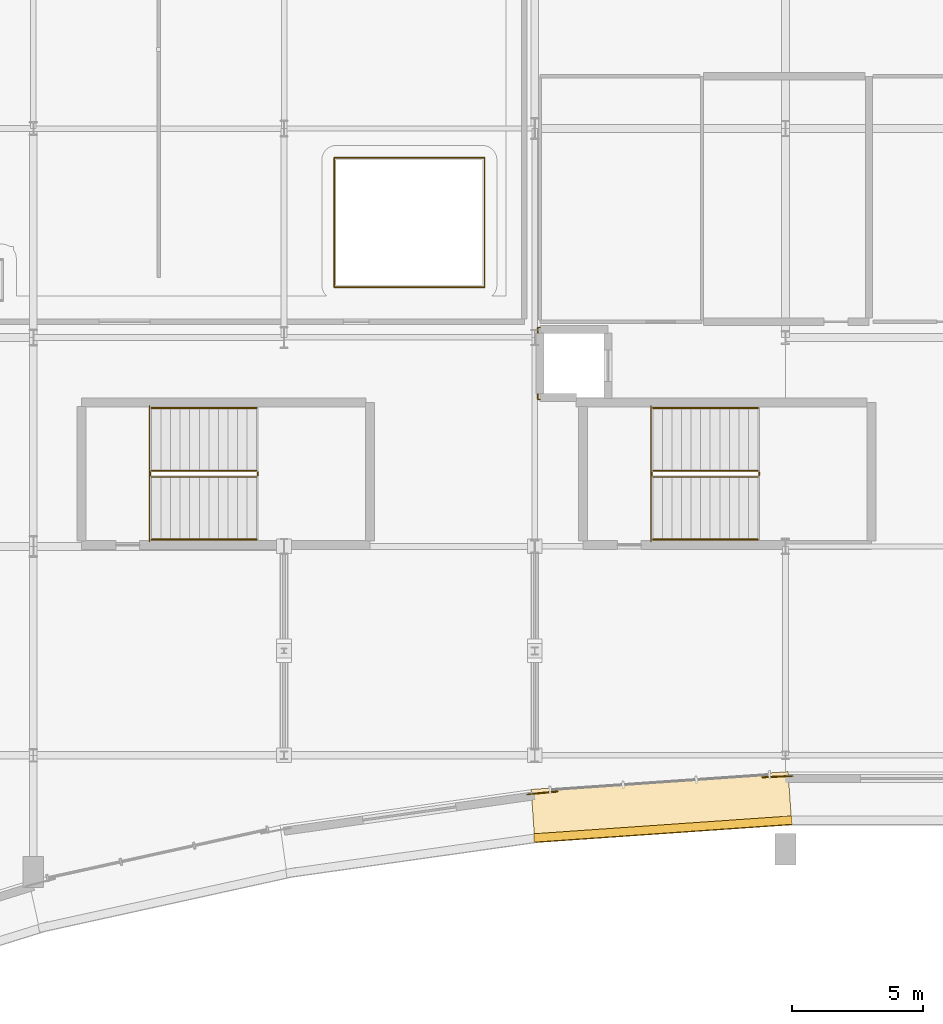
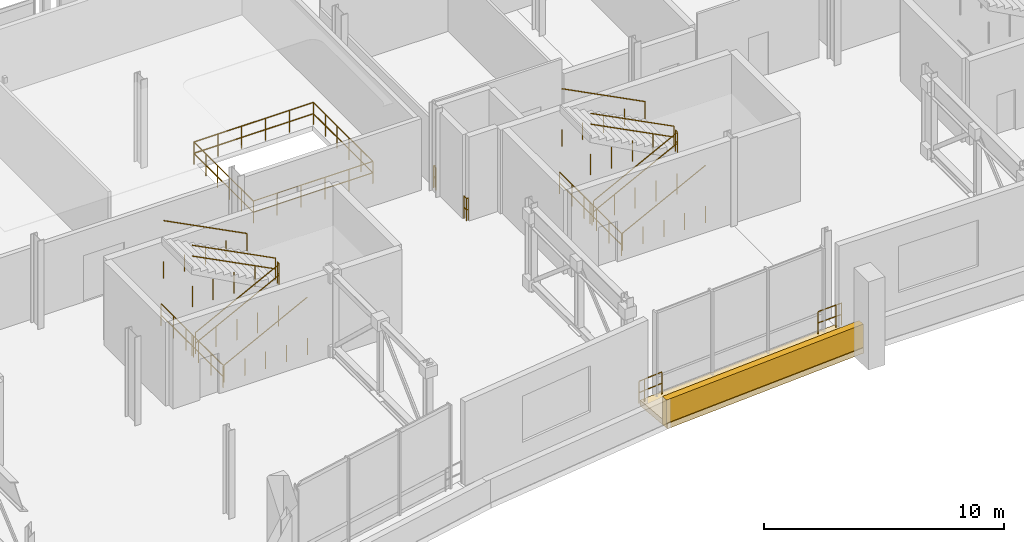
# One storey, part 175 of 193: 19 railings, 2 coverings.
"""IFC4 building model written with IfcOpenShell, lengths in metres."""

import ifcopenshell
import ifcopenshell.guid

model = None  # the IFC model being written
_history = None  # IfcOwnerHistory: only IFC2X3 demands one
_inside = {}  # id of a spatial element -> (the spatial element, [elements in it])
_under = {}  # id of a project, library or spatial element -> (it, [spatial elements below it])
_declared = {}  # id of a project -> (the project, [libraries it declares])
_typed = {}  # id of a type object -> (the type object, [elements of that type])
_made_of = {}  # id of a material, layer set ... -> (it, [elements and type objects made of it])


def new_model(schema):
    """Start an empty IFC model of exactly this schema.

    Asked for "IFC4X3", IfcOpenShell would pick the latest addendum, in which some entities
    have other attributes; the version numbers below select the first issue.
    IFC2X3 requires an IfcOwnerHistory on every rooted entity: one is made here for all.
    """
    global model, _history
    if schema == "IFC4X3":
        model = ifcopenshell.file(schema_version=(4, 3, 0, 0))
    else:
        model = ifcopenshell.file(schema=schema)
    _inside.clear()
    _under.clear()
    _declared.clear()
    _typed.clear()
    _made_of.clear()
    _history = None
    if model.schema == "IFC2X3":
        org = make("IfcOrganization", Name="unknown")
        user = make(
            "IfcPersonAndOrganization",
            ThePerson=make("IfcPerson", FamilyName="unknown"),
            TheOrganization=org,
        )
        app = make(
            "IfcApplication",
            ApplicationDeveloper=org,
            Version="unknown",
            ApplicationFullName="unknown",
            ApplicationIdentifier="unknown",
        )
        _history = make(
            "IfcOwnerHistory",
            OwningUser=user,
            OwningApplication=app,
            ChangeAction="ADDED",
            CreationDate=0,
        )
    return model


def make(cls, **values):
    """One entity of the class cls with the attributes given. An attribute that is None is left unset."""
    return model.create_entity(
        cls, **{name: value for name, value in values.items() if value is not None}
    )


def rooted(cls, **values):
    """An entity with a GlobalId (a new one), such as an element, a storey or a relation."""
    return make(cls, GlobalId=ifcopenshell.guid.new(), OwnerHistory=_history, **values)


def si_unit(unit_type, name, prefix=None):
    """IfcSIUnit, for example si_unit("LENGTHUNIT", "METRE", prefix="MILLI")."""
    return make("IfcSIUnit", UnitType=unit_type, Prefix=prefix, Name=name)


def assignment(units):
    """IfcUnitAssignment: the units of a project."""
    return None if units is None else make("IfcUnitAssignment", Units=units)


def point(xyz):
    """IfcCartesianPoint."""
    return None if xyz is None else make("IfcCartesianPoint", Coordinates=xyz)


def direction(xyz):
    """IfcDirection."""
    return None if xyz is None else make("IfcDirection", DirectionRatios=xyz)


def frame(location, z_axis=None, x_axis=None):
    """IfcAxis2Placement3D, a coordinate frame: its origin and axes. An axis left out is left unset."""
    return make(
        "IfcAxis2Placement3D",
        Location=point(location),
        Axis=direction(z_axis),
        RefDirection=direction(x_axis),
    )


def frame_2d(location, x_axis=None):
    """IfcAxis2Placement2D, a coordinate frame in the plane: its origin and x axis."""
    return make(
        "IfcAxis2Placement2D", Location=point(location), RefDirection=direction(x_axis)
    )


def origin():
    """The frame at (0, 0, 0) with its axes left unset."""
    return frame((0.0, 0.0, 0.0))


def origin_2d():
    """The frame at (0, 0) in the plane with its x axis left unset."""
    return frame_2d((0.0, 0.0))


def place(relative_to, where):
    """IfcLocalPlacement: puts the frame where relative to a parent placement (None: the world)."""
    return make(
        "IfcLocalPlacement", PlacementRelTo=relative_to, RelativePlacement=where
    )


def context(
    kind, dimensions, precision=None, world=None, true_north=None, identifier=None
):
    """IfcGeometricRepresentationContext, for example the 3D "Model" context."""
    return make(
        "IfcGeometricRepresentationContext",
        ContextIdentifier=identifier,
        ContextType=kind,
        CoordinateSpaceDimension=dimensions,
        Precision=precision,
        WorldCoordinateSystem=world,
        TrueNorth=true_north,
    )


def subcontext(parent, identifier, kind, view, scale=None):
    """IfcGeometricRepresentationSubContext, for example "Body" below "Model"."""
    return make(
        "IfcGeometricRepresentationSubContext",
        ContextIdentifier=identifier,
        ContextType=kind,
        ParentContext=parent,
        TargetScale=scale,
        TargetView=view,
    )


def project(units=None, contexts=None):
    """IfcProject with its units and contexts."""
    return rooted(
        "IfcProject",
        Name="project",
        RepresentationContexts=contexts,
        UnitsInContext=assignment(units),
    )


def spatial(cls, under=None, at=None, **own):
    """A site, building, storey or space (cls), placed at a placement, below another one or the project."""
    s = rooted(cls, ObjectPlacement=at, **own)
    if under is not None:
        _under.setdefault(under.id(), (under, []))[1].append(s)
    return s


def profile(cls, at=None, kind="AREA", **sizes):
    """A parametric profile (cls). Its sizes go by their IFC names, for example OverallWidth=200.0."""
    return make(cls, ProfileType=kind, Position=at, **sizes)


def rectangle(**sizes):
    """IfcRectangleProfileDef."""
    return profile("IfcRectangleProfileDef", **sizes)


def circle(**sizes):
    """IfcCircleProfileDef."""
    return profile("IfcCircleProfileDef", **sizes)


def extrude(swept, where, along, depth):
    """IfcExtrudedAreaSolid: the profile swept, set in the frame where, extruded along a direction by depth."""
    return make(
        "IfcExtrudedAreaSolid",
        SweptArea=swept,
        Position=where,
        ExtrudedDirection=direction(along),
        Depth=depth,
    )


def shape(context_of_items, identifier, shape_type, items):
    """IfcShapeRepresentation: the items that make up one representation, for example the "Body"."""
    return make(
        "IfcShapeRepresentation",
        ContextOfItems=context_of_items,
        RepresentationIdentifier=identifier,
        RepresentationType=shape_type,
        Items=items,
    )


def material(Name=None, Category=None):
    """IfcMaterial."""
    return make("IfcMaterial", Name=Name, Category=Category)


def layer(
    of_material, thickness, ventilated=None, Name=None, Category=None, Priority=None
):
    """IfcMaterialLayer: one layer of a wall or slab, of a material (None: an air gap)."""
    return make(
        "IfcMaterialLayer",
        Material=of_material,
        LayerThickness=thickness,
        IsVentilated=ventilated,
        Name=Name,
        Category=Category,
        Priority=Priority,
    )


def layer_set(layers, Name=None):
    """IfcMaterialLayerSet."""
    return make("IfcMaterialLayerSet", MaterialLayers=layers, LayerSetName=Name)


def made_of(thing, what):
    """Note that an element or type object is made of a material, layer set ...; save() writes the relation."""
    if what is not None:
        _made_of.setdefault(what.id(), (what, []))[1].append(thing)
    return thing


def type_object(cls, material=None, **own):
    """A type object (cls), such as IfcWallType, which elements share."""
    return made_of(rooted(cls, **own), material)


def element(
    cls,
    number,
    at=None,
    inside=None,
    cuts=None,
    type_object=None,
    material=None,
    context=None,
    identifier="Body",
    shape_type=None,
    held_by="IfcProductDefinitionShape",
    body=None,
    shapes=None,
    **own,
):
    """One element of the class cls, such as IfcWall. Its Tag is "e" and its number.

    at: its placement. inside: the storey or other place that contains it. cuts: it is an
    opening in that element (IfcRelVoidsElement). A single representation is given by context,
    identifier, shape_type and body (its items); several are given by shapes. held_by: the class
    of the entity that holds the representations. save() writes the other relations.
    """
    e = rooted(cls, Tag="e%d" % number, ObjectPlacement=at, **own)
    if body is not None:
        shapes = [shape(context, identifier, shape_type, body)]
    if shapes is not None:
        e.Representation = make(held_by, Representations=shapes)
    if inside is not None:
        _inside.setdefault(inside.id(), (inside, []))[1].append(e)
    if cuts is not None:
        rooted(
            "IfcRelVoidsElement", RelatingBuildingElement=cuts, RelatedOpeningElement=e
        )
    if type_object is not None:
        _typed.setdefault(type_object.id(), (type_object, []))[1].append(e)
    return made_of(e, material)


def aggregate(whole, parts):
    """IfcRelAggregates: a whole, such as a stair, and the parts it consists of."""
    return rooted("IfcRelAggregates", RelatingObject=whole, RelatedObjects=parts)


def save(model, path):
    """Write the relations noted so far, then the file.

    IfcRelAggregates (storeys below a building ...), IfcRelContainedInSpatialStructure (elements
    in a storey), IfcRelDefinesByType, IfcRelAssociatesMaterial and IfcRelDeclares: one each for
    every whole, place, type object, material and project.
    """
    for whole, parts in _under.values():
        aggregate(whole, parts)
    for where, things in _inside.values():
        rooted(
            "IfcRelContainedInSpatialStructure",
            RelatedElements=things,
            RelatingStructure=where,
        )
    for kind, things in _typed.values():
        rooted("IfcRelDefinesByType", RelatedObjects=things, RelatingType=kind)
    for what, things in _made_of.values():
        rooted("IfcRelAssociatesMaterial", RelatedObjects=things, RelatingMaterial=what)
    for by, libraries in _declared.values():
        rooted("IfcRelDeclares", RelatingContext=by, RelatedDefinitions=libraries)
    model.write(path)


model = new_model("IFC4")

# Units and contexts
model_context = context("Model", 3, precision=1e-05, world=origin(), true_north=direction((0.0, 1.0)))
body_context = subcontext(model_context, "Body", "Model", "MODEL_VIEW")
ifc_project = project(units=[si_unit("LENGTHUNIT", "METRE"), si_unit("AREAUNIT", "SQUARE_METRE"), si_unit("VOLUMEUNIT", "CUBIC_METRE"), si_unit("PLANEANGLEUNIT", "RADIAN"), si_unit("MASSUNIT", "GRAM", prefix="KILO")], contexts=[model_context])

# Site, building, storey
site_placement = place(None, origin())
site = spatial("IfcSite", under=ifc_project, at=site_placement, CompositionType="ELEMENT")
building_placement = place(site_placement, origin())
building = spatial("IfcBuilding", under=site, at=building_placement, Name="Danafjord Basin Convention Centre", CompositionType="ELEMENT")
storey_placement = place(building_placement, frame((0.0, 0.0, 11.39990234375)))
storey = spatial("IfcBuildingStorey", under=building, at=storey_placement, Name="L02", CompositionType="ELEMENT", Elevation=11.39990234375)

# Coverings
ifc_material_1 = material(Name="Architectural white precast concrete C45/55", Category="concrete")
ifc_layer = layer(ifc_material_1, 0.320068359375)
ifc_layer_set = layer_set([ifc_layer], Name="Architectural white precast concrete C45/55")
covering_type = type_object("IfcCoveringType", Name="COV-BAND-HORIZ", PredefinedType="CLADDING", material=ifc_layer_set)
covering_1_placement = place(storey_placement, frame((52.853515625, 6.011474609375, -0.27978515625), z_axis=(0.0, 0.0, 1.0), x_axis=(0.997609375858, 0.069105232798, 0.0)))
element("IfcCovering", 1, at=covering_1_placement, inside=storey, type_object=covering_type, Name="L02 stepped horizontal band soffit plate 18", PredefinedType="CLADDING", context=body_context, shape_type="SweptSolid", body=[
    extrude(rectangle(XDim=9.863037109375, YDim=2.050048828125, at=origin_2d()), origin(), (0.0, 0.0, 1.0), 0.280029296875),
])
covering_2_placement = place(storey_placement, frame((52.911376953125, 5.17822265625, -0.23974609375), z_axis=(0.0, 0.0, 1.0), x_axis=(0.997609375858, 0.069105232798, 0.0)))
element("IfcCovering", 2, at=covering_2_placement, inside=storey, type_object=covering_type, Name="L02 layered horizontal white spandrel band 18", PredefinedType="CLADDING", context=body_context, shape_type="SweptSolid", body=[
    extrude(rectangle(XDim=9.903076171875, YDim=0.320068359375, at=origin_2d()), origin(), (0.0, 0.0, 1.0), 1.419921875),
])

# Railings
ifc_material_2 = material(Name="Laminated structural glass and stainless steel", Category="steel")
railing_type_1 = type_object("IfcRailingType", Name="RL-BAL-GLS", PredefinedType="BALUSTRADE", material=ifc_material_2)
railing_1_placement = place(storey_placement, frame((57.8798828125, 7.2041015625, 0.0)))
element("IfcRailing", 3, at=railing_1_placement, inside=storey, type_object=railing_type_1, Name="L02 safety guard balustrade 179", PredefinedType="BALUSTRADE", context=body_context, shape_type="SweptSolid", body=[
    extrude(circle(Radius=0.02392578125, at=origin_2d()), frame((0.0, 0.0, 1.1259765625), z_axis=(-0.999687107423, -0.025013741256, 0.0), x_axis=(0.025013741256, -0.999687107423, 0.0)), (0.0, 0.0, 1.0), 0.282958984375),
    extrude(circle(Radius=0.02392578125, at=origin_2d()), frame((0.0, 0.0, 0.55078125), z_axis=(-0.999687107423, -0.025013741256, 0.0), x_axis=(0.025013741256, -0.999687107423, 0.0)), (0.0, 0.0, 1.0), 0.282958984375),
    extrude(circle(Radius=0.02392578125, at=origin_2d()), frame((-0.282958984375, -0.007080078125, 1.1259765625), z_axis=(-0.999068641972, -0.043149144005, 0.0), x_axis=(0.043149144005, -0.999068641972, 0.0)), (0.0, 0.0, 1.0), 0.882568359375),
    extrude(circle(Radius=0.02392578125, at=origin_2d()), frame((-0.282958984375, -0.007080078125, 0.55078125), z_axis=(-0.999068641972, -0.043149144005, 0.0), x_axis=(0.043149144005, -0.999068641972, 0.0)), (0.0, 0.0, 1.0), 0.882568359375),
    extrude(circle(Radius=0.02099609375, at=origin_2d()), origin(), (0.0, 0.0, 1.0), 1.099853515625),
    extrude(circle(Radius=0.02099609375, at=origin_2d()), frame((-0.282958984375, -0.007080078125, 0.0)), (0.0, 0.0, 1.0), 1.099853515625),
    extrude(circle(Radius=0.02099609375, at=origin_2d()), frame((-1.164794921875, -0.045166015625, 0.0)), (0.0, 0.0, 1.0), 1.099853515625),
])
railing_2_placement = place(storey_placement, frame((48.87109375, 6.615966796875, 0.0)))
element("IfcRailing", 4, at=railing_2_placement, inside=storey, type_object=railing_type_1, Name="L02 safety guard balustrade 180", PredefinedType="BALUSTRADE", context=body_context, shape_type="SweptSolid", body=[
    extrude(circle(Radius=0.02392578125, at=origin_2d()), frame((0.0, 0.0, 1.1259765625), z_axis=(-0.995468097619, -0.095096091525, 0.0), x_axis=(0.095096091525, -0.995468097619, 0.0)), (0.0, 0.0, 1.0), 0.883056640625),
    extrude(circle(Radius=0.02392578125, at=origin_2d()), frame((0.0, 0.0, 0.55078125), z_axis=(-0.995468097619, -0.095096091525, 0.0), x_axis=(0.095096091525, -0.995468097619, 0.0)), (0.0, 0.0, 1.0), 0.883056640625),
    extrude(circle(Radius=0.02392578125, at=origin_2d()), frame((-0.879150390625, -0.083984375, 1.1259765625), z_axis=(-0.993585430395, -0.113084006413, 0.0), x_axis=(0.113084006413, -0.993585430395, 0.0)), (0.0, 0.0, 1.0), 0.28271484375),
    extrude(circle(Radius=0.02392578125, at=origin_2d()), frame((-0.879150390625, -0.083984375, 0.55078125), z_axis=(-0.993585430395, -0.113084006413, 0.0), x_axis=(0.113084006413, -0.993585430395, 0.0)), (0.0, 0.0, 1.0), 0.28271484375),
    extrude(circle(Radius=0.02099609375, at=origin_2d()), origin(), (0.0, 0.0, 1.0), 1.099853515625),
    extrude(circle(Radius=0.02099609375, at=origin_2d()), frame((-0.879150390625, -0.083984375, 0.0)), (0.0, 0.0, 1.0), 1.099853515625),
    extrude(circle(Radius=0.02099609375, at=origin_2d()), frame((-1.16015625, -0.115966796875, 0.0)), (0.0, 0.0, 1.0), 1.099853515625),
])
railing_3_placement = place(storey_placement, frame((52.449951171875, 21.375, 0.0)))
element("IfcRailing", 5, at=railing_3_placement, inside=storey, type_object=railing_type_1, Name="L02 safety guard balustrade 206", PredefinedType="BALUSTRADE", context=body_context, shape_type="SweptSolid", body=[
    extrude(circle(Radius=0.02392578125, at=origin_2d()), frame((0.0, 0.0, 1.1259765625), z_axis=(0.0, -1.0, 0.0), x_axis=(1.0, 0.0, 0.0)), (0.0, 0.0, 1.0), 5.18994140625),
    extrude(circle(Radius=0.02392578125, at=origin_2d()), frame((0.0, 0.0, 0.55078125), z_axis=(0.0, -1.0, 0.0), x_axis=(1.0, 0.0, 0.0)), (0.0, 0.0, 1.0), 5.18994140625),
    extrude(circle(Radius=0.02099609375, at=origin_2d()), origin(), (0.0, 0.0, 1.0), 1.099853515625),
    extrude(circle(Radius=0.02099609375, at=origin_2d()), frame((0.0, -1.0380859375, 0.0)), (0.0, 0.0, 1.0), 1.099853515625),
    extrude(circle(Radius=0.02099609375, at=origin_2d()), frame((0.0, -2.075927734375, 0.0)), (0.0, 0.0, 1.0), 1.099853515625),
    extrude(circle(Radius=0.02099609375, at=origin_2d()), frame((0.0, -3.114013671875, 0.0)), (0.0, 0.0, 1.0), 1.099853515625),
    extrude(circle(Radius=0.02099609375, at=origin_2d()), frame((0.0, -4.15185546875, 0.0)), (0.0, 0.0, 1.0), 1.099853515625),
    extrude(circle(Radius=0.02099609375, at=origin_2d()), frame((0.0, -5.18994140625, 0.0)), (0.0, 0.0, 1.0), 1.099853515625),
])
railing_4_placement = place(storey_placement, frame((48.1201171875, 21.8349609375, 0.0)))
element("IfcRailing", 6, at=railing_4_placement, inside=storey, type_object=railing_type_1, Name="L02 safety guard balustrade 208", PredefinedType="BALUSTRADE", context=body_context, shape_type="SweptSolid", body=[
    extrude(circle(Radius=0.02392578125, at=origin_2d()), frame((0.0, 0.0, 1.1259765625), z_axis=(0.0, -1.0, 0.0), x_axis=(1.0, 0.0, 0.0)), (0.0, 0.0, 1.0), 0.21484375),
    extrude(circle(Radius=0.02392578125, at=origin_2d()), frame((0.0, 0.0, 0.55078125), z_axis=(0.0, -1.0, 0.0), x_axis=(1.0, 0.0, 0.0)), (0.0, 0.0, 1.0), 0.21484375),
    extrude(circle(Radius=0.02392578125, at=origin_2d()), frame((0.0, -0.21484375, 1.1259765625), z_axis=(1.0, 0.0, 0.0), x_axis=(0.0, 1.0, 0.0)), (0.0, 0.0, 1.0), 0.079833984375),
    extrude(circle(Radius=0.02392578125, at=origin_2d()), frame((0.0, -0.21484375, 0.55078125), z_axis=(1.0, 0.0, 0.0), x_axis=(0.0, 1.0, 0.0)), (0.0, 0.0, 1.0), 0.079833984375),
    extrude(circle(Radius=0.02099609375, at=origin_2d()), origin(), (0.0, 0.0, 1.0), 1.099853515625),
    extrude(circle(Radius=0.02099609375, at=origin_2d()), frame((0.0, -0.21484375, 0.0)), (0.0, 0.0, 1.0), 1.099853515625),
    extrude(circle(Radius=0.02099609375, at=origin_2d()), frame((0.079833984375, -0.21484375, 0.0)), (0.0, 0.0, 1.0), 1.099853515625),
])
railing_5_placement = place(storey_placement, frame((33.25, 21.375, 0.0)))
element("IfcRailing", 7, at=railing_5_placement, inside=storey, type_object=railing_type_1, Name="L02 safety guard balustrade 210", PredefinedType="BALUSTRADE", context=body_context, shape_type="SweptSolid", body=[
    extrude(circle(Radius=0.02392578125, at=origin_2d()), frame((0.0, 0.0, 1.1259765625), z_axis=(0.0, -1.0, 0.0), x_axis=(1.0, 0.0, 0.0)), (0.0, 0.0, 1.0), 5.18994140625),
    extrude(circle(Radius=0.02392578125, at=origin_2d()), frame((0.0, 0.0, 0.55078125), z_axis=(0.0, -1.0, 0.0), x_axis=(1.0, 0.0, 0.0)), (0.0, 0.0, 1.0), 5.18994140625),
    extrude(circle(Radius=0.02099609375, at=origin_2d()), origin(), (0.0, 0.0, 1.0), 1.099853515625),
    extrude(circle(Radius=0.02099609375, at=origin_2d()), frame((0.0, -1.0380859375, 0.0)), (0.0, 0.0, 1.0), 1.099853515625),
    extrude(circle(Radius=0.02099609375, at=origin_2d()), frame((0.0, -2.075927734375, 0.0)), (0.0, 0.0, 1.0), 1.099853515625),
    extrude(circle(Radius=0.02099609375, at=origin_2d()), frame((0.0, -3.114013671875, 0.0)), (0.0, 0.0, 1.0), 1.099853515625),
    extrude(circle(Radius=0.02099609375, at=origin_2d()), frame((0.0, -4.15185546875, 0.0)), (0.0, 0.0, 1.0), 1.099853515625),
    extrude(circle(Radius=0.02099609375, at=origin_2d()), frame((0.0, -5.18994140625, 0.0)), (0.0, 0.0, 1.0), 1.099853515625),
])
ifc_material_3 = material(Name="Galvanised and powder-coated steel S355", Category="steel")
railing_type_2 = type_object("IfcRailingType", Name="RL-BAL-STL", PredefinedType="BALUSTRADE", material=ifc_material_3)
railing_6_placement = place(storey_placement, frame((48.199951171875, 24.3798828125, 0.0)))
element("IfcRailing", 8, at=railing_6_placement, inside=storey, type_object=railing_type_2, Name="L02 safety guard balustrade 207", PredefinedType="BALUSTRADE", context=body_context, shape_type="SweptSolid", body=[
    extrude(circle(Radius=0.02392578125, at=origin_2d()), frame((0.0, 0.0, 1.1259765625), z_axis=(-1.0, 0.0, 0.0), x_axis=(0.0, -1.0, 0.0)), (0.0, 0.0, 1.0), 0.079833984375),
    extrude(circle(Radius=0.02392578125, at=origin_2d()), frame((0.0, 0.0, 0.55078125), z_axis=(-1.0, 0.0, 0.0), x_axis=(0.0, -1.0, 0.0)), (0.0, 0.0, 1.0), 0.079833984375),
    extrude(circle(Radius=0.02392578125, at=origin_2d()), frame((-0.079833984375, 0.0, 1.1259765625), z_axis=(0.0, -1.0, 0.0), x_axis=(1.0, 0.0, 0.0)), (0.0, 0.0, 1.0), 0.21484375),
    extrude(circle(Radius=0.02392578125, at=origin_2d()), frame((-0.079833984375, 0.0, 0.55078125), z_axis=(0.0, -1.0, 0.0), x_axis=(1.0, 0.0, 0.0)), (0.0, 0.0, 1.0), 0.21484375),
    extrude(circle(Radius=0.02099609375, at=origin_2d()), origin(), (0.0, 0.0, 1.0), 1.099853515625),
    extrude(circle(Radius=0.02099609375, at=origin_2d()), frame((-0.079833984375, 0.0, 0.0)), (0.0, 0.0, 1.0), 1.099853515625),
    extrude(circle(Radius=0.02099609375, at=origin_2d()), frame((-0.079833984375, -0.21484375, 0.0)), (0.0, 0.0, 1.0), 1.099853515625),
])
railing_7_placement = place(storey_placement, frame((46.080078125, 25.919921875, 0.0)))
element("IfcRailing", 9, at=railing_7_placement, inside=storey, type_object=railing_type_2, Name="L02 safety guard balustrade 209", PredefinedType="BALUSTRADE", context=body_context, shape_type="SweptSolid", body=[
    extrude(circle(Radius=0.02392578125, at=origin_2d()), frame((0.0, 0.0, 1.1259765625), z_axis=(0.0, 1.0, 0.0), x_axis=(-1.0, 0.0, 0.0)), (0.0, 0.0, 1.0), 4.9599609375),
    extrude(circle(Radius=0.02392578125, at=origin_2d()), frame((0.0, 0.0, 0.55078125), z_axis=(0.0, 1.0, 0.0), x_axis=(-1.0, 0.0, 0.0)), (0.0, 0.0, 1.0), 4.9599609375),
    extrude(circle(Radius=0.02392578125, at=origin_2d()), frame((0.0, 4.9599609375, 1.1259765625), z_axis=(-1.0, 0.0, 0.0), x_axis=(0.0, -1.0, 0.0)), (0.0, 0.0, 1.0), 5.760009765625),
    extrude(circle(Radius=0.02392578125, at=origin_2d()), frame((0.0, 4.9599609375, 0.55078125), z_axis=(-1.0, 0.0, 0.0), x_axis=(0.0, -1.0, 0.0)), (0.0, 0.0, 1.0), 5.760009765625),
    extrude(circle(Radius=0.02392578125, at=origin_2d()), frame((-5.760009765625, 4.9599609375, 1.1259765625), z_axis=(0.0, -1.0, 0.0), x_axis=(1.0, 0.0, 0.0)), (0.0, 0.0, 1.0), 4.9599609375),
    extrude(circle(Radius=0.02392578125, at=origin_2d()), frame((-5.760009765625, 4.9599609375, 0.55078125), z_axis=(0.0, -1.0, 0.0), x_axis=(1.0, 0.0, 0.0)), (0.0, 0.0, 1.0), 4.9599609375),
    extrude(circle(Radius=0.02392578125, at=origin_2d()), frame((-5.760009765625, 0.0, 1.1259765625), z_axis=(1.0, 0.0, 0.0), x_axis=(0.0, 1.0, 0.0)), (0.0, 0.0, 1.0), 5.760009765625),
    extrude(circle(Radius=0.02392578125, at=origin_2d()), frame((-5.760009765625, 0.0, 0.55078125), z_axis=(1.0, 0.0, 0.0), x_axis=(0.0, 1.0, 0.0)), (0.0, 0.0, 1.0), 5.760009765625),
    extrude(circle(Radius=0.02099609375, at=origin_2d()), origin(), (0.0, 0.0, 1.0), 1.099853515625),
    extrude(circle(Radius=0.02099609375, at=origin_2d()), frame((0.0, 0.991943359375, 0.0)), (0.0, 0.0, 1.0), 1.099853515625),
    extrude(circle(Radius=0.02099609375, at=origin_2d()), frame((0.0, 1.98388671875, 0.0)), (0.0, 0.0, 1.0), 1.099853515625),
    extrude(circle(Radius=0.02099609375, at=origin_2d()), frame((0.0, 2.97607421875, 0.0)), (0.0, 0.0, 1.0), 1.099853515625),
    extrude(circle(Radius=0.02099609375, at=origin_2d()), frame((0.0, 3.968017578125, 0.0)), (0.0, 0.0, 1.0), 1.099853515625),
    extrude(circle(Radius=0.02099609375, at=origin_2d()), frame((0.0, 4.9599609375, 0.0)), (0.0, 0.0, 1.0), 1.099853515625),
    extrude(circle(Radius=0.02099609375, at=origin_2d()), frame((-1.152099609375, 4.9599609375, 0.0)), (0.0, 0.0, 1.0), 1.099853515625),
    extrude(circle(Radius=0.02099609375, at=origin_2d()), frame((-2.303955078125, 4.9599609375, 0.0)), (0.0, 0.0, 1.0), 1.099853515625),
    extrude(circle(Radius=0.02099609375, at=origin_2d()), frame((-3.4560546875, 4.9599609375, 0.0)), (0.0, 0.0, 1.0), 1.099853515625),
    extrude(circle(Radius=0.02099609375, at=origin_2d()), frame((-4.60791015625, 4.9599609375, 0.0)), (0.0, 0.0, 1.0), 1.099853515625),
    extrude(circle(Radius=0.02099609375, at=origin_2d()), frame((-5.760009765625, 4.9599609375, 0.0)), (0.0, 0.0, 1.0), 1.099853515625),
    extrude(circle(Radius=0.02099609375, at=origin_2d()), frame((-5.760009765625, 3.968017578125, 0.0)), (0.0, 0.0, 1.0), 1.099853515625),
    extrude(circle(Radius=0.02099609375, at=origin_2d()), frame((-5.760009765625, 2.97607421875, 0.0)), (0.0, 0.0, 1.0), 1.099853515625),
    extrude(circle(Radius=0.02099609375, at=origin_2d()), frame((-5.760009765625, 1.98388671875, 0.0)), (0.0, 0.0, 1.0), 1.099853515625),
    extrude(circle(Radius=0.02099609375, at=origin_2d()), frame((-5.760009765625, 0.991943359375, 0.0)), (0.0, 0.0, 1.0), 1.099853515625),
    extrude(circle(Radius=0.02099609375, at=origin_2d()), frame((-5.760009765625, 0.0, 0.0)), (0.0, 0.0, 1.0), 1.099853515625),
    extrude(circle(Radius=0.02099609375, at=origin_2d()), frame((-4.60791015625, 0.0, 0.0)), (0.0, 0.0, 1.0), 1.099853515625),
    extrude(circle(Radius=0.02099609375, at=origin_2d()), frame((-3.4560546875, 0.0, 0.0)), (0.0, 0.0, 1.0), 1.099853515625),
    extrude(circle(Radius=0.02099609375, at=origin_2d()), frame((-2.303955078125, 0.0, 0.0)), (0.0, 0.0, 1.0), 1.099853515625),
    extrude(circle(Radius=0.02099609375, at=origin_2d()), frame((-1.152099609375, 0.0, 0.0)), (0.0, 0.0, 1.0), 1.099853515625),
])
ifc_material_4 = material(Name="Galvanised steel S355", Category="steel")
railing_type_3 = type_object("IfcRailingType", Name="RL-GD-WELL", PredefinedType="BALUSTRADE", material=ifc_material_4)
railing_8_placement = place(storey_placement, frame((52.530029296875, 18.659912109375, 0.1875)))
element("IfcRailing", 10, at=railing_8_placement, inside=storey, type_object=railing_type_3, Name="L02 ST-05 stair guard 1", PredefinedType="BALUSTRADE", context=body_context, shape_type="SweptSolid", body=[
    extrude(circle(Radius=0.02392578125, at=origin_2d()), frame((0.0, 0.0, 1.076171875), z_axis=(0.889495128042, 0.0, 0.456944654405), x_axis=(0.0, 1.0, 0.0)), (0.0, 0.0, 1.0), 4.513671875),
    extrude(circle(Radius=0.02392578125, at=origin_2d()), frame((0.0, 0.0, 0.52587890625), z_axis=(0.889495128042, 0.0, 0.456944654405), x_axis=(0.0, 1.0, 0.0)), (0.0, 0.0, 1.0), 4.513671875),
    extrude(circle(Radius=0.02099609375, at=origin_2d()), origin(), (0.0, 0.0, 1.0), 1.050048828125),
    extrude(circle(Radius=0.02099609375, at=origin_2d()), frame((1.003662109375, 0.0, 0.0)), (0.0, 0.0, 1.0), 1.050048828125),
    extrude(circle(Radius=0.02099609375, at=origin_2d()), frame((2.00732421875, 0.0, 0.0)), (0.0, 0.0, 1.0), 1.050048828125),
    extrude(circle(Radius=0.02099609375, at=origin_2d()), frame((3.01123046875, 0.0, 0.0)), (0.0, 0.0, 1.0), 1.050048828125),
    extrude(circle(Radius=0.02099609375, at=origin_2d()), frame((4.014892578125, 0.0, 0.0)), (0.0, 0.0, 1.0), 1.050048828125),
])
railing_9_placement = place(storey_placement, frame((56.594970703125, 18.7099609375, 2.25)))
element("IfcRailing", 11, at=railing_9_placement, inside=storey, type_object=railing_type_3, Name="L02 ST-05 stair guard 2", PredefinedType="BALUSTRADE", context=body_context, shape_type="SweptSolid", body=[
    extrude(circle(Radius=0.02392578125, at=origin_2d()), frame((0.0, 0.0, 1.076171875), z_axis=(0.0, 1.0, 0.0), x_axis=(-1.0, 0.0, 0.0)), (0.0, 0.0, 1.0), 0.14013671875),
    extrude(circle(Radius=0.02392578125, at=origin_2d()), frame((0.0, 0.0, 0.52587890625), z_axis=(0.0, 1.0, 0.0), x_axis=(-1.0, 0.0, 0.0)), (0.0, 0.0, 1.0), 0.14013671875),
    extrude(circle(Radius=0.02099609375, at=origin_2d()), origin(), (0.0, 0.0, 1.0), 1.050048828125),
    extrude(circle(Radius=0.02099609375, at=origin_2d()), frame((0.0, 0.14013671875, 0.0)), (0.0, 0.0, 1.0), 1.050048828125),
])
railing_10_placement = place(storey_placement, frame((56.544921875, 18.89990234375, 2.4375)))
element("IfcRailing", 12, at=railing_10_placement, inside=storey, type_object=railing_type_3, Name="L02 ST-05 stair guard 3", PredefinedType="BALUSTRADE", context=body_context, shape_type="SweptSolid", body=[
    extrude(circle(Radius=0.02392578125, at=origin_2d()), frame((0.0, 0.0, 1.076171875), z_axis=(-0.889495128042, 0.0, 0.456944654405), x_axis=(0.0, -1.0, 0.0)), (0.0, 0.0, 1.0), 4.513671875),
    extrude(circle(Radius=0.02392578125, at=origin_2d()), frame((0.0, 0.0, 0.52587890625), z_axis=(-0.889495128042, 0.0, 0.456944654405), x_axis=(0.0, -1.0, 0.0)), (0.0, 0.0, 1.0), 4.513671875),
    extrude(circle(Radius=0.02099609375, at=origin_2d()), origin(), (0.0, 0.0, 1.0), 1.050048828125),
    extrude(circle(Radius=0.02099609375, at=origin_2d()), frame((-1.003662109375, 0.0, 0.0)), (0.0, 0.0, 1.0), 1.050048828125),
    extrude(circle(Radius=0.02099609375, at=origin_2d()), frame((-2.00732421875, 0.0, 0.0)), (0.0, 0.0, 1.0), 1.050048828125),
    extrude(circle(Radius=0.02099609375, at=origin_2d()), frame((-3.01123046875, 0.0, 0.0)), (0.0, 0.0, 1.0), 1.050048828125),
    extrude(circle(Radius=0.02099609375, at=origin_2d()), frame((-4.014892578125, 0.0, 0.0)), (0.0, 0.0, 1.0), 1.050048828125),
])
railing_11_placement = place(storey_placement, frame((52.47998046875, 18.7099609375, 0.0)))
element("IfcRailing", 13, at=railing_11_placement, inside=storey, type_object=railing_type_3, Name="L02 ST-05 stair guard 4", PredefinedType="BALUSTRADE", context=body_context, shape_type="SweptSolid", body=[
    extrude(circle(Radius=0.02392578125, at=origin_2d()), frame((0.0, 0.0, 1.076171875), z_axis=(0.0, 1.0, 0.0), x_axis=(-1.0, 0.0, 0.0)), (0.0, 0.0, 1.0), 0.14013671875),
    extrude(circle(Radius=0.02392578125, at=origin_2d()), frame((0.0, 0.0, 0.52587890625), z_axis=(0.0, 1.0, 0.0), x_axis=(-1.0, 0.0, 0.0)), (0.0, 0.0, 1.0), 0.14013671875),
    extrude(circle(Radius=0.02099609375, at=origin_2d()), origin(), (0.0, 0.0, 1.0), 1.050048828125),
    extrude(circle(Radius=0.02099609375, at=origin_2d()), frame((0.0, 0.14013671875, 0.0)), (0.0, 0.0, 1.0), 1.050048828125),
])
railing_12_placement = place(storey_placement, frame((33.330078125, 18.659912109375, 0.1875)))
element("IfcRailing", 14, at=railing_12_placement, inside=storey, type_object=railing_type_3, Name="L02 ST-02 stair guard 1", PredefinedType="BALUSTRADE", context=body_context, shape_type="SweptSolid", body=[
    extrude(circle(Radius=0.02392578125, at=origin_2d()), frame((0.0, 0.0, 1.076171875), z_axis=(0.889495128042, 0.0, 0.456944654405), x_axis=(0.0, 1.0, 0.0)), (0.0, 0.0, 1.0), 4.513671875),
    extrude(circle(Radius=0.02392578125, at=origin_2d()), frame((0.0, 0.0, 0.52587890625), z_axis=(0.889495128042, 0.0, 0.456944654405), x_axis=(0.0, 1.0, 0.0)), (0.0, 0.0, 1.0), 4.513671875),
    extrude(circle(Radius=0.02099609375, at=origin_2d()), origin(), (0.0, 0.0, 1.0), 1.050048828125),
    extrude(circle(Radius=0.02099609375, at=origin_2d()), frame((1.003662109375, 0.0, 0.0)), (0.0, 0.0, 1.0), 1.050048828125),
    extrude(circle(Radius=0.02099609375, at=origin_2d()), frame((2.00732421875, 0.0, 0.0)), (0.0, 0.0, 1.0), 1.050048828125),
    extrude(circle(Radius=0.02099609375, at=origin_2d()), frame((3.01123046875, 0.0, 0.0)), (0.0, 0.0, 1.0), 1.050048828125),
    extrude(circle(Radius=0.02099609375, at=origin_2d()), frame((4.014892578125, 0.0, 0.0)), (0.0, 0.0, 1.0), 1.050048828125),
])
railing_13_placement = place(storey_placement, frame((37.39501953125, 18.7099609375, 2.25)))
element("IfcRailing", 15, at=railing_13_placement, inside=storey, type_object=railing_type_3, Name="L02 ST-02 stair guard 2", PredefinedType="BALUSTRADE", context=body_context, shape_type="SweptSolid", body=[
    extrude(circle(Radius=0.02392578125, at=origin_2d()), frame((0.0, 0.0, 1.076171875), z_axis=(0.0, 1.0, 0.0), x_axis=(-1.0, 0.0, 0.0)), (0.0, 0.0, 1.0), 0.14013671875),
    extrude(circle(Radius=0.02392578125, at=origin_2d()), frame((0.0, 0.0, 0.52587890625), z_axis=(0.0, 1.0, 0.0), x_axis=(-1.0, 0.0, 0.0)), (0.0, 0.0, 1.0), 0.14013671875),
    extrude(circle(Radius=0.02099609375, at=origin_2d()), origin(), (0.0, 0.0, 1.0), 1.050048828125),
    extrude(circle(Radius=0.02099609375, at=origin_2d()), frame((0.0, 0.14013671875, 0.0)), (0.0, 0.0, 1.0), 1.050048828125),
])
railing_14_placement = place(storey_placement, frame((37.344970703125, 18.89990234375, 2.4375)))
element("IfcRailing", 16, at=railing_14_placement, inside=storey, type_object=railing_type_3, Name="L02 ST-02 stair guard 3", PredefinedType="BALUSTRADE", context=body_context, shape_type="SweptSolid", body=[
    extrude(circle(Radius=0.02392578125, at=origin_2d()), frame((0.0, 0.0, 1.076171875), z_axis=(-0.889495128042, 0.0, 0.456944654405), x_axis=(0.0, -1.0, 0.0)), (0.0, 0.0, 1.0), 4.513671875),
    extrude(circle(Radius=0.02392578125, at=origin_2d()), frame((0.0, 0.0, 0.52587890625), z_axis=(-0.889495128042, 0.0, 0.456944654405), x_axis=(0.0, -1.0, 0.0)), (0.0, 0.0, 1.0), 4.513671875),
    extrude(circle(Radius=0.02099609375, at=origin_2d()), origin(), (0.0, 0.0, 1.0), 1.050048828125),
    extrude(circle(Radius=0.02099609375, at=origin_2d()), frame((-1.003662109375, 0.0, 0.0)), (0.0, 0.0, 1.0), 1.050048828125),
    extrude(circle(Radius=0.02099609375, at=origin_2d()), frame((-2.00732421875, 0.0, 0.0)), (0.0, 0.0, 1.0), 1.050048828125),
    extrude(circle(Radius=0.02099609375, at=origin_2d()), frame((-3.01123046875, 0.0, 0.0)), (0.0, 0.0, 1.0), 1.050048828125),
    extrude(circle(Radius=0.02099609375, at=origin_2d()), frame((-4.014892578125, 0.0, 0.0)), (0.0, 0.0, 1.0), 1.050048828125),
])
railing_15_placement = place(storey_placement, frame((33.280029296875, 18.7099609375, 0.0)))
element("IfcRailing", 17, at=railing_15_placement, inside=storey, type_object=railing_type_3, Name="L02 ST-02 stair guard 4", PredefinedType="BALUSTRADE", context=body_context, shape_type="SweptSolid", body=[
    extrude(circle(Radius=0.02392578125, at=origin_2d()), frame((0.0, 0.0, 1.076171875), z_axis=(0.0, 1.0, 0.0), x_axis=(-1.0, 0.0, 0.0)), (0.0, 0.0, 1.0), 0.14013671875),
    extrude(circle(Radius=0.02392578125, at=origin_2d()), frame((0.0, 0.0, 0.52587890625), z_axis=(0.0, 1.0, 0.0), x_axis=(-1.0, 0.0, 0.0)), (0.0, 0.0, 1.0), 0.14013671875),
    extrude(circle(Radius=0.02099609375, at=origin_2d()), origin(), (0.0, 0.0, 1.0), 1.050048828125),
    extrude(circle(Radius=0.02099609375, at=origin_2d()), frame((0.0, 0.14013671875, 0.0)), (0.0, 0.0, 1.0), 1.050048828125),
])
ifc_material_5 = material(Name="Brushed stainless steel EN 1.4404", Category="steel")
railing_type_4 = type_object("IfcRailingType", Name="RL-HR-STAIR", PredefinedType="HANDRAIL", material=ifc_material_5)
railing_16_placement = place(storey_placement, frame((52.530029296875, 16.260009765625, 0.1875)))
element("IfcRailing", 18, at=railing_16_placement, inside=storey, type_object=railing_type_4, Name="L02 ST-05 stair handrail 1", PredefinedType="HANDRAIL", context=body_context, shape_type="SweptSolid", body=[
    extrude(circle(Radius=0.02392578125, at=origin_2d()), frame((0.0, 0.0, 0.8759765625), z_axis=(0.889495128042, 0.0, 0.456944654405), x_axis=(0.0, 1.0, 0.0)), (0.0, 0.0, 1.0), 4.513671875),
    extrude(circle(Radius=0.02099609375, at=origin_2d()), origin(), (0.0, 0.0, 1.0), 0.849853515625),
    extrude(circle(Radius=0.02099609375, at=origin_2d()), frame((1.003662109375, 0.0, 0.0)), (0.0, 0.0, 1.0), 0.849853515625),
    extrude(circle(Radius=0.02099609375, at=origin_2d()), frame((2.00732421875, 0.0, 0.0)), (0.0, 0.0, 1.0), 0.849853515625),
    extrude(circle(Radius=0.02099609375, at=origin_2d()), frame((3.01123046875, 0.0, 0.0)), (0.0, 0.0, 1.0), 0.849853515625),
    extrude(circle(Radius=0.02099609375, at=origin_2d()), frame((4.014892578125, 0.0, 0.0)), (0.0, 0.0, 1.0), 0.849853515625),
])
railing_17_placement = place(storey_placement, frame((56.544921875, 21.300048828125, 2.4375)))
element("IfcRailing", 19, at=railing_17_placement, inside=storey, type_object=railing_type_4, Name="L02 ST-05 stair handrail 2", PredefinedType="HANDRAIL", context=body_context, shape_type="SweptSolid", body=[
    extrude(circle(Radius=0.02392578125, at=origin_2d()), frame((0.0, 0.0, 0.8759765625), z_axis=(-0.889495128042, 0.0, 0.456944654405), x_axis=(0.0, -1.0, 0.0)), (0.0, 0.0, 1.0), 4.513671875),
    extrude(circle(Radius=0.02099609375, at=origin_2d()), origin(), (0.0, 0.0, 1.0), 0.849853515625),
    extrude(circle(Radius=0.02099609375, at=origin_2d()), frame((-1.003662109375, 0.0, 0.0)), (0.0, 0.0, 1.0), 0.849853515625),
    extrude(circle(Radius=0.02099609375, at=origin_2d()), frame((-2.00732421875, 0.0, 0.0)), (0.0, 0.0, 1.0), 0.849853515625),
    extrude(circle(Radius=0.02099609375, at=origin_2d()), frame((-3.01123046875, 0.0, 0.0)), (0.0, 0.0, 1.0), 0.849853515625),
    extrude(circle(Radius=0.02099609375, at=origin_2d()), frame((-4.014892578125, 0.0, 0.0)), (0.0, 0.0, 1.0), 0.849853515625),
])
railing_18_placement = place(storey_placement, frame((33.330078125, 16.260009765625, 0.1875)))
element("IfcRailing", 20, at=railing_18_placement, inside=storey, type_object=railing_type_4, Name="L02 ST-02 stair handrail 1", PredefinedType="HANDRAIL", context=body_context, shape_type="SweptSolid", body=[
    extrude(circle(Radius=0.02392578125, at=origin_2d()), frame((0.0, 0.0, 0.8759765625), z_axis=(0.889495128042, 0.0, 0.456944654405), x_axis=(0.0, 1.0, 0.0)), (0.0, 0.0, 1.0), 4.513671875),
    extrude(circle(Radius=0.02099609375, at=origin_2d()), origin(), (0.0, 0.0, 1.0), 0.849853515625),
    extrude(circle(Radius=0.02099609375, at=origin_2d()), frame((1.003662109375, 0.0, 0.0)), (0.0, 0.0, 1.0), 0.849853515625),
    extrude(circle(Radius=0.02099609375, at=origin_2d()), frame((2.00732421875, 0.0, 0.0)), (0.0, 0.0, 1.0), 0.849853515625),
    extrude(circle(Radius=0.02099609375, at=origin_2d()), frame((3.01123046875, 0.0, 0.0)), (0.0, 0.0, 1.0), 0.849853515625),
    extrude(circle(Radius=0.02099609375, at=origin_2d()), frame((4.014892578125, 0.0, 0.0)), (0.0, 0.0, 1.0), 0.849853515625),
])
railing_19_placement = place(storey_placement, frame((37.344970703125, 21.300048828125, 2.4375)))
element("IfcRailing", 21, at=railing_19_placement, inside=storey, type_object=railing_type_4, Name="L02 ST-02 stair handrail 2", PredefinedType="HANDRAIL", context=body_context, shape_type="SweptSolid", body=[
    extrude(circle(Radius=0.02392578125, at=origin_2d()), frame((0.0, 0.0, 0.8759765625), z_axis=(-0.889495128042, 0.0, 0.456944654405), x_axis=(0.0, -1.0, 0.0)), (0.0, 0.0, 1.0), 4.513671875),
    extrude(circle(Radius=0.02099609375, at=origin_2d()), origin(), (0.0, 0.0, 1.0), 0.849853515625),
    extrude(circle(Radius=0.02099609375, at=origin_2d()), frame((-1.003662109375, 0.0, 0.0)), (0.0, 0.0, 1.0), 0.849853515625),
    extrude(circle(Radius=0.02099609375, at=origin_2d()), frame((-2.00732421875, 0.0, 0.0)), (0.0, 0.0, 1.0), 0.849853515625),
    extrude(circle(Radius=0.02099609375, at=origin_2d()), frame((-3.01123046875, 0.0, 0.0)), (0.0, 0.0, 1.0), 0.849853515625),
    extrude(circle(Radius=0.02099609375, at=origin_2d()), frame((-4.014892578125, 0.0, 0.0)), (0.0, 0.0, 1.0), 0.849853515625),
])

save(model, "model.ifc")
